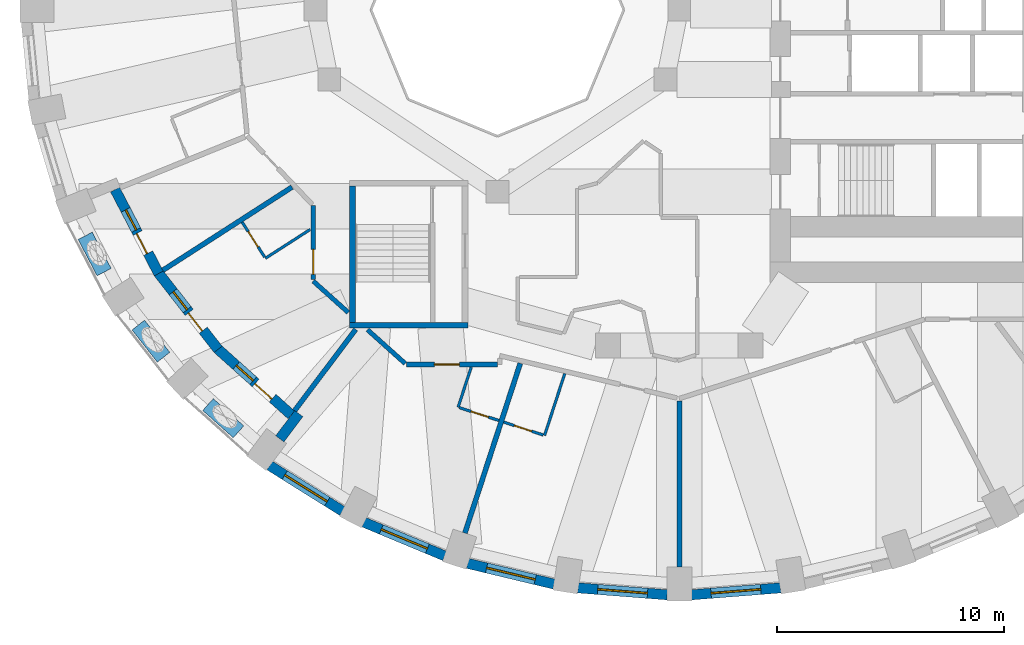
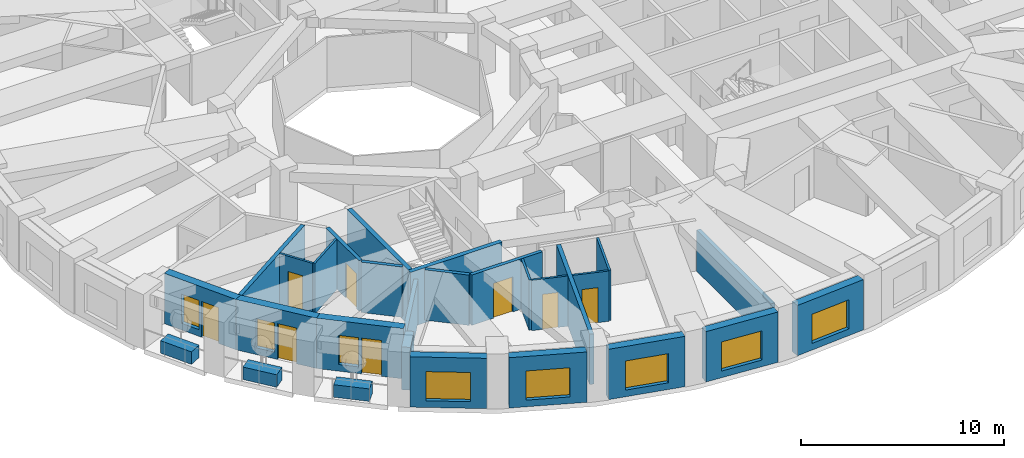
# One storey, part 3 of 13: 28 walls, 8 doors, 8 windows, 16 openings.
"""IFC4 building model written with IfcOpenShell, lengths in metres."""

from ifc_helpers import new_model, si_unit, direction, frame, frame_2d, origin, place, context, subcontext, project, spatial, rectangle, extrude, material, layer, layer_set, constituent, constituent_set, type_object, element, fill, save


model = new_model("IFC4")

# Units and contexts
model_context = context("Model", 3, precision=1e-05, world=origin(), true_north=direction((0.0, 1.0)))
body_context = subcontext(model_context, "Body", "Model", "MODEL_VIEW")
ifc_project = project(units=[si_unit("LENGTHUNIT", "METRE"), si_unit("AREAUNIT", "SQUARE_METRE"), si_unit("VOLUMEUNIT", "CUBIC_METRE"), si_unit("PLANEANGLEUNIT", "RADIAN"), si_unit("MASSUNIT", "GRAM", prefix="KILO")], contexts=[model_context])

# Site, building, storey
site_placement = place(None, origin())
site = spatial("IfcSite", under=ifc_project, at=site_placement, CompositionType="ELEMENT")
building_placement = place(site_placement, origin())
building = spatial("IfcBuilding", under=site, at=building_placement, Name="Taillehof Tower", CompositionType="ELEMENT")
storey_placement = place(building_placement, frame((0.0, 0.0, 54.699951171875)))
storey = spatial("IfcBuildingStorey", under=building, at=storey_placement, Name="L14", CompositionType="ELEMENT", Elevation=54.699951171875)

# Wall, opening, window
ifc_material_1 = material(Name="Brick masonry", Category="masonry")
ifc_layer_1 = layer(ifc_material_1, 0.449951171875)
ifc_layer_set_1 = layer_set([ifc_layer_1], Name="Brick infill wall 450")
wall_type_1 = type_object("IfcWallType", Name="Brick infill wall 450", PredefinedType="SOLIDWALL", material=ifc_layer_set_1)
wall_1_placement = place(storey_placement, frame((-18.02294921875, -20.043701171875, 0.0), z_axis=(0.0, 0.0, 1.0), x_axis=(0.847635480093, -0.530579016629, 0.0)))
wall_1 = element("IfcWall", 1, at=wall_1_placement, inside=storey, type_object=wall_type_1, Name="Brick wall L14 bay 24", PredefinedType="SOLIDWALL", context=body_context, shape_type="SweptSolid", body=[
    extrude(rectangle(XDim=3.782470703125, YDim=0.449951171875, at=frame_2d((1.89111328125, 0.0))), origin(), (0.0, 0.0, 1.0), 3.02001953125),
])
opening_1_placement = place(wall_1_placement, frame((0.791259765625, 0.0, 0.39990234375)))
opening_1 = element("IfcOpeningElement", 2, at=opening_1_placement, cuts=wall_1, Name="Opening W1", PredefinedType="OPENING", context=body_context, shape_type="SweptSolid", body=[
    extrude(rectangle(XDim=2.199951171875, YDim=1.75, at=frame_2d((1.10009765625, 0.875))), frame((0.0, 0.23486328125, 0.0), z_axis=(0.0, -1.0, 0.0), x_axis=(1.0, 0.0, 0.0)), (0.0, 0.0, 1.0), 0.469970703125),
])
ifc_material_2 = material(Name="Aluminium window frame with clear double glazing", Category="aluminium")
window_type_1 = type_object("IfcWindowType", Name="Deep-set window 2200x1750", PartitioningType="SINGLE_PANEL", PredefinedType="WINDOW", material=ifc_material_2)
window_1_placement = place(opening_1_placement, origin())
window_1 = element("IfcWindow", 3, at=window_1_placement, inside=storey, type_object=window_type_1, Name="W1", OverallHeight=1.75, OverallWidth=2.199951171875, PartitioningType="SINGLE_PANEL", PredefinedType="WINDOW", context=body_context, shape_type="SweptSolid", body=[
    extrude(rectangle(XDim=2.199951171875, YDim=1.75, at=frame_2d((1.10009765625, 0.875))), frame((0.0, 0.034912109375, 0.0), z_axis=(0.0, -1.0, 0.0), x_axis=(1.0, 0.0, 0.0)), (0.0, 0.0, 1.0), 0.06005859375),
])
fill(opening_1, window_1)

wall_2_placement = place(storey_placement, frame((-13.875, -22.537353515625, 0.0), z_axis=(0.0, 0.0, 1.0), x_axis=(0.923031964282, -0.384723267966, 0.0)))
wall_2 = element("IfcWall", 4, at=wall_2_placement, inside=storey, type_object=wall_type_1, Name="Brick wall L14 bay 25", PredefinedType="SOLIDWALL", context=body_context, shape_type="SweptSolid", body=[
    extrude(rectangle(XDim=3.8564453125, YDim=0.449951171875, at=frame_2d((1.92822265625, 0.0))), origin(), (0.0, 0.0, 1.0), 3.02001953125),
])
opening_2_placement = place(wall_2_placement, frame((0.828125, 0.0, 0.39990234375)))
opening_2 = element("IfcOpeningElement", 5, at=opening_2_placement, cuts=wall_2, Name="Opening W1", PredefinedType="OPENING", context=body_context, shape_type="SweptSolid", body=[
    extrude(rectangle(XDim=2.199951171875, YDim=1.75, at=frame_2d((1.10009765625, 0.875))), frame((0.0, 0.23486328125, 0.0), z_axis=(0.0, -1.0, 0.0), x_axis=(1.0, 0.0, 0.0)), (0.0, 0.0, 1.0), 0.469970703125),
])
window_2_placement = place(opening_2_placement, origin())
window_2 = element("IfcWindow", 6, at=window_2_placement, inside=storey, type_object=window_type_1, Name="W1", OverallHeight=1.75, OverallWidth=2.199951171875, PartitioningType="SINGLE_PANEL", PredefinedType="WINDOW", context=body_context, shape_type="SweptSolid", body=[
    extrude(rectangle(XDim=2.199951171875, YDim=1.75, at=frame_2d((1.10009765625, 0.875))), frame((0.0, 0.034912109375, 0.0), z_axis=(0.0, -1.0, 0.0), x_axis=(1.0, 0.0, 0.0)), (0.0, 0.0, 1.0), 0.06005859375),
])
fill(opening_2, window_2)

wall_3_placement = place(storey_placement, frame((-9.3076171875, -24.349609375, 0.0), z_axis=(0.0, 0.0, 1.0), x_axis=(0.972496561493, -0.232917233979, 0.0)))
wall_3 = element("IfcWall", 7, at=wall_3_placement, inside=storey, type_object=wall_type_1, Name="Brick wall L14 bay 26", PredefinedType="SOLIDWALL", context=body_context, shape_type="SweptSolid", body=[
    extrude(rectangle(XDim=3.910888671875, YDim=0.449951171875, at=frame_2d((1.95556640625, 0.0))), origin(), (0.0, 0.0, 1.0), 3.02001953125),
])
opening_3_placement = place(wall_3_placement, frame((0.855224609375, 0.0, 0.39990234375)))
opening_3 = element("IfcOpeningElement", 8, at=opening_3_placement, cuts=wall_3, Name="Opening W1", PredefinedType="OPENING", context=body_context, shape_type="SweptSolid", body=[
    extrude(rectangle(XDim=2.199951171875, YDim=1.75, at=frame_2d((1.10009765625, 0.875))), frame((0.0, 0.23486328125, 0.0), z_axis=(0.0, -1.0, 0.0), x_axis=(1.0, 0.0, 0.0)), (0.0, 0.0, 1.0), 0.469970703125),
])
window_3_placement = place(opening_3_placement, origin())
window_3 = element("IfcWindow", 9, at=window_3_placement, inside=storey, type_object=window_type_1, Name="W1", OverallHeight=1.75, OverallWidth=2.199951171875, PartitioningType="SINGLE_PANEL", PredefinedType="WINDOW", context=body_context, shape_type="SweptSolid", body=[
    extrude(rectangle(XDim=2.199951171875, YDim=1.75, at=frame_2d((1.10009765625, 0.875))), frame((0.0, 0.034912109375, 0.0), z_axis=(0.0, -1.0, 0.0), x_axis=(1.0, 0.0, 0.0)), (0.0, 0.0, 1.0), 0.06005859375),
])
fill(opening_3, window_3)

wall_4_placement = place(storey_placement, frame((-4.457275390625, -25.42578125, 0.0), z_axis=(0.0, 0.0, 1.0), x_axis=(0.996955972145, -0.077966592873, 0.0)))
wall_4 = element("IfcWall", 10, at=wall_4_placement, inside=storey, type_object=wall_type_1, Name="Brick wall L14 bay 27", PredefinedType="SOLIDWALL", context=body_context, shape_type="SweptSolid", body=[
    extrude(rectangle(XDim=3.939208984375, YDim=0.449951171875, at=frame_2d((1.9697265625, 0.0))), origin(), (0.0, 0.0, 1.0), 3.02001953125),
])
opening_4_placement = place(wall_4_placement, frame((0.86962890625, 0.0, 0.39990234375)))
opening_4 = element("IfcOpeningElement", 11, at=opening_4_placement, cuts=wall_4, Name="Opening W1", PredefinedType="OPENING", context=body_context, shape_type="SweptSolid", body=[
    extrude(rectangle(XDim=2.199951171875, YDim=1.75, at=frame_2d((1.10009765625, 0.875))), frame((0.0, 0.23486328125, 0.0), z_axis=(0.0, -1.0, 0.0), x_axis=(1.0, 0.0, 0.0)), (0.0, 0.0, 1.0), 0.469970703125),
])
window_4_placement = place(opening_4_placement, origin())
window_4 = element("IfcWindow", 12, at=window_4_placement, inside=storey, type_object=window_type_1, Name="W1", OverallHeight=1.75, OverallWidth=2.199951171875, PartitioningType="SINGLE_PANEL", PredefinedType="WINDOW", context=body_context, shape_type="SweptSolid", body=[
    extrude(rectangle(XDim=2.199951171875, YDim=1.75, at=frame_2d((1.10009765625, 0.875))), frame((0.0, 0.034912109375, 0.0), z_axis=(0.0, -1.0, 0.0), x_axis=(1.0, 0.0, 0.0)), (0.0, 0.0, 1.0), 0.06005859375),
])
fill(opening_4, window_4)

wall_5_placement = place(storey_placement, frame((0.530029296875, -25.73291015625, 0.0), z_axis=(0.0, 0.0, 1.0), x_axis=(0.996955972145, 0.077966592873, 0.0)))
wall_5 = element("IfcWall", 13, at=wall_5_placement, inside=storey, type_object=wall_type_1, Name="Brick wall L14 bay 28", PredefinedType="SOLIDWALL", context=body_context, shape_type="SweptSolid", body=[
    extrude(rectangle(XDim=3.939208984375, YDim=0.449951171875, at=frame_2d((1.9697265625, 0.0))), origin(), (0.0, 0.0, 1.0), 3.02001953125),
])
opening_5_placement = place(wall_5_placement, frame((0.86962890625, 0.0, 0.39990234375)))
opening_5 = element("IfcOpeningElement", 14, at=opening_5_placement, cuts=wall_5, Name="Opening W1", PredefinedType="OPENING", context=body_context, shape_type="SweptSolid", body=[
    extrude(rectangle(XDim=2.199951171875, YDim=1.75, at=frame_2d((1.10009765625, 0.875))), frame((0.0, 0.23486328125, 0.0), z_axis=(0.0, -1.0, 0.0), x_axis=(1.0, 0.0, 0.0)), (0.0, 0.0, 1.0), 0.469970703125),
])
window_5_placement = place(opening_5_placement, origin())
window_5 = element("IfcWindow", 15, at=window_5_placement, inside=storey, type_object=window_type_1, Name="W1", OverallHeight=1.75, OverallWidth=2.199951171875, PartitioningType="SINGLE_PANEL", PredefinedType="WINDOW", context=body_context, shape_type="SweptSolid", body=[
    extrude(rectangle(XDim=2.199951171875, YDim=1.75, at=frame_2d((1.10009765625, 0.875))), frame((0.0, 0.034912109375, 0.0), z_axis=(0.0, -1.0, 0.0), x_axis=(1.0, 0.0, 0.0)), (0.0, 0.0, 1.0), 0.06005859375),
])
fill(opening_5, window_5)

# Wall
wall_6_placement = place(storey_placement, frame((-17.572021484375, -18.87060546875, 0.0), z_axis=(0.0, 0.0, 1.0), x_axis=(0.601262851241, 0.799051302306, 0.0)))
element("IfcWall", 16, at=wall_6_placement, inside=storey, type_object=wall_type_1, Name="Brick reveal L14 pocket 6", PredefinedType="SOLIDWALL", context=body_context, shape_type="SweptSolid", body=[
    extrude(rectangle(XDim=1.39111328125, YDim=0.449951171875, at=frame_2d((0.695556640625, 0.0))), origin(), (0.0, 0.0, 1.0), 2.570068359375),
])

# Wall, openings, door, window
wall_7_placement = place(storey_placement, frame((-24.81787109375, -7.90478515625, 0.0), z_axis=(0.0, 0.0, 1.0), x_axis=(0.461517123562, -0.887131300687, 0.0)))
wall_7 = element("IfcWall", 17, at=wall_7_placement, inside=storey, type_object=wall_type_1, Name="Brick wall L14 pocket bay 21", PredefinedType="SOLIDWALL", context=body_context, shape_type="SweptSolid", body=[
    extrude(rectangle(XDim=4.16162109375, YDim=0.449951171875, at=frame_2d((2.080810546875, 0.0))), origin(), (0.0, 0.0, 1.0), 3.02001953125),
])
opening_6_placement = place(wall_7_placement, frame((1.005859375, 0.0, 0.39990234375)))
opening_6 = element("IfcOpeningElement", 18, at=opening_6_placement, cuts=wall_7, Name="Opening W5", PredefinedType="OPENING", context=body_context, shape_type="SweptSolid", body=[
    extrude(rectangle(XDim=1.0, YDim=1.75, at=frame_2d((0.5, 0.875))), frame((0.0, 0.23486328125, 0.0), z_axis=(0.0, -1.0, 0.0), x_axis=(1.0, 0.0, 0.0)), (0.0, 0.0, 1.0), 0.469970703125),
])
opening_7_placement = place(wall_7_placement, frame((2.15576171875, 0.0, 0.0)))
opening_7 = element("IfcOpeningElement", 19, at=opening_7_placement, cuts=wall_7, Name="Opening D1494", PredefinedType="OPENING", context=body_context, shape_type="SweptSolid", body=[
    extrude(rectangle(XDim=1.0, YDim=2.14990234375, at=frame_2d((0.5, 1.074951171875))), frame((0.0, 0.23486328125, 0.0), z_axis=(0.0, -1.0, 0.0), x_axis=(1.0, 0.0, 0.0)), (0.0, 0.0, 1.0), 0.469970703125),
])
ifc_material_3 = material(Name="Aluminium door frame with clear double glazing", Category="aluminium")
door_type_1 = type_object("IfcDoorType", Name="Balcony door 1000x2150", OperationType="SINGLE_SWING_RIGHT", PredefinedType="DOOR", material=ifc_material_3)
door_1_placement = place(opening_7_placement, frame((1.0, 0.0, 0.0), z_axis=(0.0, 0.0, 1.0), x_axis=(-1.0, 0.0, 0.0)))
door_1 = element("IfcDoor", 20, at=door_1_placement, inside=storey, type_object=door_type_1, Name="Balcony door L14 bay 21", OperationType="SINGLE_SWING_RIGHT", OverallHeight=2.14990234375, OverallWidth=1.0, PredefinedType="DOOR", context=body_context, shape_type="SweptSolid", body=[
    extrude(rectangle(XDim=1.0, YDim=2.14990234375, at=frame_2d((0.5, 1.074951171875))), frame((0.0, 0.0751953125, 0.0), z_axis=(0.0, -1.0, 0.0), x_axis=(1.0, 0.0, 0.0)), (0.0, 0.0, 1.0), 0.050048828125),
])
fill(opening_7, door_1)
ifc_material_4 = material(Name="Aluminium window frame with clear double glazing", Category="aluminium")
window_type_2 = type_object("IfcWindowType", Name="Fixed window 1000x1750", PartitioningType="SINGLE_PANEL", PredefinedType="WINDOW", material=ifc_material_4)
window_6_placement = place(opening_6_placement, origin())
window_6 = element("IfcWindow", 21, at=window_6_placement, inside=storey, type_object=window_type_2, Name="W5", OverallHeight=1.75, OverallWidth=1.0, PartitioningType="SINGLE_PANEL", PredefinedType="WINDOW", context=body_context, shape_type="SweptSolid", body=[
    extrude(rectangle(XDim=1.0, YDim=1.75, at=frame_2d((0.5, 0.875))), frame((0.0, 0.034912109375, 0.0), z_axis=(0.0, -1.0, 0.0), x_axis=(1.0, 0.0, 0.0)), (0.0, 0.0, 1.0), 0.06005859375),
])
fill(opening_6, window_6)

wall_8_placement = place(storey_placement, frame((-22.919677734375, -11.56201171875, 0.0), z_axis=(0.0, 0.0, 1.0), x_axis=(0.615586464456, -0.788069352772, 0.0)))
wall_8 = element("IfcWall", 22, at=wall_8_placement, inside=storey, type_object=wall_type_1, Name="Brick wall L14 pocket bay 22", PredefinedType="SOLIDWALL", context=body_context, shape_type="SweptSolid", body=[
    extrude(rectangle(XDim=4.27880859375, YDim=0.449951171875, at=frame_2d((2.139404296875, 0.0))), origin(), (0.0, 0.0, 1.0), 3.02001953125),
])
opening_8_placement = place(wall_8_placement, frame((1.064453125, 0.0, 0.39990234375)))
opening_8 = element("IfcOpeningElement", 23, at=opening_8_placement, cuts=wall_8, Name="Opening W5", PredefinedType="OPENING", context=body_context, shape_type="SweptSolid", body=[
    extrude(rectangle(XDim=1.0, YDim=1.75, at=frame_2d((0.5, 0.875))), frame((0.0, 0.23486328125, 0.0), z_axis=(0.0, -1.0, 0.0), x_axis=(1.0, 0.0, 0.0)), (0.0, 0.0, 1.0), 0.469970703125),
])
opening_9_placement = place(wall_8_placement, frame((2.21435546875, 0.0, 0.0)))
opening_9 = element("IfcOpeningElement", 24, at=opening_9_placement, cuts=wall_8, Name="Opening D1495", PredefinedType="OPENING", context=body_context, shape_type="SweptSolid", body=[
    extrude(rectangle(XDim=1.0, YDim=2.14990234375, at=frame_2d((0.5, 1.074951171875))), frame((0.0, 0.23486328125, 0.0), z_axis=(0.0, -1.0, 0.0), x_axis=(1.0, 0.0, 0.0)), (0.0, 0.0, 1.0), 0.469970703125),
])
door_2_placement = place(opening_9_placement, frame((1.0, 0.0, 0.0), z_axis=(0.0, 0.0, 1.0), x_axis=(-1.0, 0.0, 0.0)))
door_2 = element("IfcDoor", 25, at=door_2_placement, inside=storey, type_object=door_type_1, Name="Balcony door L14 bay 22", OperationType="SINGLE_SWING_LEFT", OverallHeight=2.14990234375, OverallWidth=1.0, PredefinedType="DOOR", context=body_context, shape_type="SweptSolid", body=[
    extrude(rectangle(XDim=1.0, YDim=2.14990234375, at=frame_2d((0.5, 1.074951171875))), frame((0.0, 0.0751953125, 0.0), z_axis=(0.0, -1.0, 0.0), x_axis=(1.0, 0.0, 0.0)), (0.0, 0.0, 1.0), 0.050048828125),
])
fill(opening_9, door_2)
window_7_placement = place(opening_8_placement, origin())
window_7 = element("IfcWindow", 26, at=window_7_placement, inside=storey, type_object=window_type_2, Name="W5", OverallHeight=1.75, OverallWidth=1.0, PartitioningType="SINGLE_PANEL", PredefinedType="WINDOW", context=body_context, shape_type="SweptSolid", body=[
    extrude(rectangle(XDim=1.0, YDim=1.75, at=frame_2d((0.5, 0.875))), frame((0.0, 0.034912109375, 0.0), z_axis=(0.0, -1.0, 0.0), x_axis=(1.0, 0.0, 0.0)), (0.0, 0.0, 1.0), 0.06005859375),
])
fill(opening_8, window_7)

wall_9_placement = place(storey_placement, frame((-20.312744140625, -14.905029296875, 0.0), z_axis=(0.0, 0.0, 1.0), x_axis=(0.744616407434, -0.667492626012, 0.0)))
wall_9 = element("IfcWall", 27, at=wall_9_placement, inside=storey, type_object=wall_type_1, Name="Brick wall L14 pocket bay 23", PredefinedType="SOLIDWALL", context=body_context, shape_type="SweptSolid", body=[
    extrude(rectangle(XDim=4.365234375, YDim=0.449951171875, at=frame_2d((2.1826171875, 0.0))), origin(), (0.0, 0.0, 1.0), 3.02001953125),
])
opening_10_placement = place(wall_9_placement, frame((1.107666015625, 0.0, 0.39990234375)))
opening_10 = element("IfcOpeningElement", 28, at=opening_10_placement, cuts=wall_9, Name="Opening W5", PredefinedType="OPENING", context=body_context, shape_type="SweptSolid", body=[
    extrude(rectangle(XDim=1.0, YDim=1.75, at=frame_2d((0.5, 0.875))), frame((0.0, 0.23486328125, 0.0), z_axis=(0.0, -1.0, 0.0), x_axis=(1.0, 0.0, 0.0)), (0.0, 0.0, 1.0), 0.469970703125),
])
opening_11_placement = place(wall_9_placement, frame((2.2578125, 0.0, 0.0)))
opening_11 = element("IfcOpeningElement", 29, at=opening_11_placement, cuts=wall_9, Name="Opening D1496", PredefinedType="OPENING", context=body_context, shape_type="SweptSolid", body=[
    extrude(rectangle(XDim=1.0, YDim=2.14990234375, at=frame_2d((0.5, 1.074951171875))), frame((0.0, 0.23486328125, 0.0), z_axis=(0.0, -1.0, 0.0), x_axis=(1.0, 0.0, 0.0)), (0.0, 0.0, 1.0), 0.469970703125),
])
door_3_placement = place(opening_11_placement, frame((1.0, 0.0, 0.0), z_axis=(0.0, 0.0, 1.0), x_axis=(-1.0, 0.0, 0.0)))
door_3 = element("IfcDoor", 30, at=door_3_placement, inside=storey, type_object=door_type_1, Name="Balcony door L14 bay 23", OperationType="SINGLE_SWING_LEFT", OverallHeight=2.14990234375, OverallWidth=1.0, PredefinedType="DOOR", context=body_context, shape_type="SweptSolid", body=[
    extrude(rectangle(XDim=1.0, YDim=2.14990234375, at=frame_2d((0.5, 1.074951171875))), frame((0.0, 0.0751953125, 0.0), z_axis=(0.0, -1.0, 0.0), x_axis=(1.0, 0.0, 0.0)), (0.0, 0.0, 1.0), 0.050048828125),
])
fill(opening_11, door_3)
window_8_placement = place(opening_10_placement, origin())
window_8 = element("IfcWindow", 31, at=window_8_placement, inside=storey, type_object=window_type_2, Name="W5", OverallHeight=1.75, OverallWidth=1.0, PartitioningType="SINGLE_PANEL", PredefinedType="WINDOW", context=body_context, shape_type="SweptSolid", body=[
    extrude(rectangle(XDim=1.0, YDim=1.75, at=frame_2d((0.5, 0.875))), frame((0.0, 0.034912109375, 0.0), z_axis=(0.0, -1.0, 0.0), x_axis=(1.0, 0.0, 0.0)), (0.0, 0.0, 1.0), 0.06005859375),
])
fill(opening_10, window_8)

# Wall
ifc_material_5 = material(Name="Gypsum board on steel studs, two layers each side", Category="steel")
ifc_layer_2 = layer(ifc_material_5, 0.199951171875)
ifc_layer_set_2 = layer_set([ifc_layer_2], Name="Compartment wall corridor 200")
wall_type_2 = type_object("IfcWallType", Name="Compartment wall corridor 200", PredefinedType="PARTITIONING", material=ifc_layer_set_2)
wall_10_placement = place(storey_placement, frame((-14.559326171875, -13.314208984375, 0.0), z_axis=(0.0, 0.0, 1.0), x_axis=(-0.744636171002, 0.667470578254, 0.0)))
element("IfcWall", 32, at=wall_10_placement, inside=storey, type_object=wall_type_2, Name="Compartment wall", PredefinedType="PARTITIONING", context=body_context, shape_type="SweptSolid", body=[
    extrude(rectangle(XDim=2.069091796875, YDim=0.199951171875, at=frame_2d((1.03466796875, 0.0))), origin(), (0.0, 0.0, 1.0), 3.02001953125),
])

# Wall, opening, door
wall_11_placement = place(storey_placement, frame((-16.10009765625, -11.85302734375, 0.0), z_axis=(0.0, 0.0, 1.0), x_axis=(0.0, 1.0, 0.0)))
wall_11 = element("IfcWall", 33, at=wall_11_placement, inside=storey, type_object=wall_type_2, Name="Compartment wall", PredefinedType="PARTITIONING", context=body_context, shape_type="SweptSolid", body=[
    extrude(rectangle(XDim=3.244140625, YDim=0.199951171875, at=frame_2d((1.6220703125, 0.0))), origin(), (0.0, 0.0, 1.0), 3.02001953125),
])
opening_12_placement = place(wall_11_placement, frame((0.219970703125, 0.0, 0.0)))
opening_12 = element("IfcOpeningElement", 34, at=opening_12_placement, cuts=wall_11, Name="Opening D1455", PredefinedType="OPENING", context=body_context, shape_type="SweptSolid", body=[
    extrude(rectangle(XDim=1.10009765625, YDim=2.10009765625, at=frame_2d((0.550048828125, 1.050048828125))), frame((0.0, 0.10986328125, 0.0), z_axis=(0.0, -1.0, 0.0), x_axis=(1.0, 0.0, 0.0)), (0.0, 0.0, 1.0), 0.219970703125),
])
ifc_material_6 = material(Name="Timber door leaf in steel frame", Category="steel")
door_type_2 = type_object("IfcDoorType", Name="Suite entrance door EI 30 1100 x 2100", OperationType="SINGLE_SWING_LEFT", PredefinedType="DOOR", material=ifc_material_6)
door_4_placement = place(opening_12_placement, origin())
door_4 = element("IfcDoor", 35, at=door_4_placement, inside=storey, type_object=door_type_2, Name="D1455", OperationType="SINGLE_SWING_RIGHT", OverallHeight=2.10009765625, OverallWidth=1.10009765625, PredefinedType="DOOR", context=body_context, shape_type="SweptSolid", body=[
    extrude(rectangle(XDim=1.10009765625, YDim=2.10009765625, at=frame_2d((0.550048828125, 1.050048828125))), frame((0.0, 0.02490234375, 0.0), z_axis=(0.0, -1.0, 0.0), x_axis=(1.0, 0.0, 0.0)), (0.0, 0.0, 1.0), 0.050048828125),
])
fill(opening_12, door_4)

wall_12_placement = place(storey_placement, frame((-8.0, -15.60009765625, 0.0), z_axis=(0.0, 0.0, 1.0), x_axis=(-1.0, 0.0, 0.0)))
wall_12 = element("IfcWall", 36, at=wall_12_placement, inside=storey, type_object=wall_type_2, Name="Compartment wall", PredefinedType="PARTITIONING", context=body_context, shape_type="SweptSolid", body=[
    extrude(rectangle(XDim=4.00927734375, YDim=0.199951171875, at=frame_2d((2.004638671875, 0.0))), origin(), (0.0, 0.0, 1.0), 3.02001953125),
])
opening_13_placement = place(wall_12_placement, frame((1.676025390625, 0.0, 0.0)))
opening_13 = element("IfcOpeningElement", 37, at=opening_13_placement, cuts=wall_12, Name="Opening D1457", PredefinedType="OPENING", context=body_context, shape_type="SweptSolid", body=[
    extrude(rectangle(XDim=1.10009765625, YDim=2.10009765625, at=frame_2d((0.550048828125, 1.050048828125))), frame((0.0, 0.10986328125, 0.0), z_axis=(0.0, -1.0, 0.0), x_axis=(1.0, 0.0, 0.0)), (0.0, 0.0, 1.0), 0.219970703125),
])
door_5_placement = place(opening_13_placement, origin())
door_5 = element("IfcDoor", 38, at=door_5_placement, inside=storey, type_object=door_type_2, Name="D1457", OperationType="SINGLE_SWING_LEFT", OverallHeight=2.10009765625, OverallWidth=1.10009765625, PredefinedType="DOOR", context=body_context, shape_type="SweptSolid", body=[
    extrude(rectangle(XDim=1.10009765625, YDim=2.10009765625, at=frame_2d((0.550048828125, 1.050048828125))), frame((0.0, 0.02490234375, 0.0), z_axis=(0.0, -1.0, 0.0), x_axis=(1.0, 0.0, 0.0)), (0.0, 0.0, 1.0), 0.050048828125),
])
fill(opening_13, door_5)

# Walls
wall_13_placement = place(storey_placement, frame((-12.053955078125, -15.559814453125, 0.0), z_axis=(0.0, 0.0, 1.0), x_axis=(-0.744625700487, 0.66748225907, 0.0)))
element("IfcWall", 39, at=wall_13_placement, inside=storey, type_object=wall_type_2, Name="Compartment wall", PredefinedType="PARTITIONING", context=body_context, shape_type="SweptSolid", body=[
    extrude(rectangle(XDim=2.231201171875, YDim=0.199951171875, at=frame_2d((1.11572265625, 0.0))), origin(), (0.0, 0.0, 1.0), 3.02001953125),
])
ifc_material_7 = material(Name="Gypsum board on double steel studs with mineral wool", Category="steel")
ifc_layer_3 = layer(ifc_material_7, 0.219970703125)
ifc_layer_set_3 = layer_set([ifc_layer_3], Name="Compartment wall guest room 220")
wall_type_3 = type_object("IfcWallType", Name="Compartment wall guest room 220", PredefinedType="PARTITIONING", material=ifc_layer_set_3)
wall_14_placement = place(storey_placement, frame((-22.717041015625, -11.455810546875, 0.0), z_axis=(0.0, 0.0, 1.0), x_axis=(0.840775666807, 0.541383669965, 0.0)))
element("IfcWall", 40, at=wall_14_placement, inside=storey, type_object=wall_type_3, Name="Compartment wall", PredefinedType="PARTITIONING", context=body_context, shape_type="SweptSolid", body=[
    extrude(rectangle(XDim=6.758544921875, YDim=0.219970703125, at=frame_2d((3.37939453125, 0.0))), origin(), (0.0, 0.0, 1.0), 3.02001953125),
])
wall_15_placement = place(storey_placement, frame((-16.926513671875, -17.638427734375, 0.0), z_axis=(0.0, 0.0, 1.0), x_axis=(0.601158965663, 0.799129462605, 0.0)))
element("IfcWall", 41, at=wall_15_placement, inside=storey, type_object=wall_type_3, Name="Compartment wall", PredefinedType="PARTITIONING", context=body_context, shape_type="SweptSolid", body=[
    extrude(rectangle(XDim=4.480224609375, YDim=0.219970703125, at=frame_2d((2.240234375, 0.0))), origin(), (0.0, 0.0, 1.0), 2.570068359375),
])
wall_16_placement = place(storey_placement, frame((-9.429443359375, -23.01416015625, 0.0), z_axis=(0.0, 0.0, 1.0), x_axis=(0.310249775859, 0.950655077607, 0.0)))
element("IfcWall", 42, at=wall_16_placement, inside=storey, type_object=wall_type_3, Name="Compartment wall", PredefinedType="PARTITIONING", context=body_context, shape_type="SweptSolid", body=[
    extrude(rectangle(XDim=7.849609375, YDim=0.219970703125, at=frame_2d((3.9248046875, 0.0))), origin(), (0.0, 0.0, 1.0), 3.02001953125),
])
wall_17_placement = place(storey_placement, frame((0.0, -24.5, 0.0), z_axis=(0.0, 0.0, 1.0), x_axis=(0.0, 1.0, 0.0)))
element("IfcWall", 43, at=wall_17_placement, inside=storey, type_object=wall_type_3, Name="Compartment wall", PredefinedType="PARTITIONING", context=body_context, shape_type="SweptSolid", body=[
    extrude(rectangle(XDim=7.2998046875, YDim=0.219970703125, at=frame_2d((3.64990234375, 0.0))), origin(), (0.0, 0.0, 1.0), 2.469970703125),
])
ifc_material_8 = material(Name="Gypsum board on steel studs, moisture resistant", Category="steel")
ifc_layer_4 = layer(ifc_material_8, 0.1201171875)
ifc_layer_set_4 = layer_set([ifc_layer_4], Name="En-suite wall 120")
wall_type_4 = type_object("IfcWallType", Name="En-suite wall 120", PredefinedType="PARTITIONING", material=ifc_layer_set_4)
wall_18_placement = place(storey_placement, frame((-16.23388671875, -9.65966796875, 0.0), z_axis=(0.0, 0.0, 1.0), x_axis=(-0.840731269954, -0.541452612628, 0.0)))
element("IfcWall", 44, at=wall_18_placement, inside=storey, type_object=wall_type_4, Name="En-suite wall", PredefinedType="PARTITIONING", context=body_context, shape_type="SweptSolid", body=[
    extrude(rectangle(XDim=2.3427734375, YDim=0.1201171875, at=frame_2d((1.17138671875, 0.0))), origin(), (0.0, 0.0, 1.0), 3.02001953125),
])
wall_19_placement = place(storey_placement, frame((-9.152587890625, -15.71923828125, 0.0), z_axis=(0.0, 0.0, 1.0), x_axis=(-0.310326382186, -0.950630073435, 0.0)))
element("IfcWall", 45, at=wall_19_placement, inside=storey, type_object=wall_type_4, Name="En-suite wall", PredefinedType="PARTITIONING", context=body_context, shape_type="SweptSolid", body=[
    extrude(rectangle(XDim=1.85107421875, YDim=0.1201171875, at=frame_2d((0.925537109375, 0.0))), origin(), (0.0, 0.0, 1.0), 3.02001953125),
])
wall_20_placement = place(storey_placement, frame((-5.03662109375, -15.999267578125, 0.0), z_axis=(0.0, 0.0, 1.0), x_axis=(-0.310181518973, -0.950677350781, 0.0)))
element("IfcWall", 46, at=wall_20_placement, inside=storey, type_object=wall_type_4, Name="En-suite wall", PredefinedType="PARTITIONING", context=body_context, shape_type="SweptSolid", body=[
    extrude(rectangle(XDim=2.86181640625, YDim=0.1201171875, at=frame_2d((1.430908203125, 0.0))), origin(), (0.0, 0.0, 1.0), 3.02001953125),
])

# Wall, opening, door
wall_21_placement = place(storey_placement, frame((-18.23583984375, -10.877685546875, 0.0), z_axis=(0.0, 0.0, 1.0), x_axis=(-0.54164058606, 0.840610180484, 0.0)))
wall_21 = element("IfcWall", 47, at=wall_21_placement, inside=storey, type_object=wall_type_4, Name="En-suite wall", PredefinedType="PARTITIONING", context=body_context, shape_type="SweptSolid", body=[
    extrude(rectangle(XDim=1.830078125, YDim=0.1201171875, at=frame_2d((0.9150390625, 0.0))), origin(), (0.0, 0.0, 1.0), 3.02001953125),
])
opening_14_placement = place(wall_21_placement, frame((0.5400390625, 0.0, 0.0)))
opening_14 = element("IfcOpeningElement", 48, at=opening_14_placement, cuts=wall_21, Name="Opening D1456", PredefinedType="OPENING", context=body_context, shape_type="SweptSolid", body=[
    extrude(rectangle(XDim=0.800048828125, YDim=2.10009765625, at=frame_2d((0.39990234375, 1.050048828125))), frame((0.0, 0.070068359375, 0.0), z_axis=(0.0, -1.0, 0.0), x_axis=(1.0, 0.0, 0.0)), (0.0, 0.0, 1.0), 0.14013671875),
])
ifc_material_9 = material(Name="Timber door leaf in steel frame", Category="steel")
door_type_3 = type_object("IfcDoorType", Name="En-suite door 800 x 2100", OperationType="SINGLE_SWING_LEFT", PredefinedType="DOOR", material=ifc_material_9)
door_6_placement = place(opening_14_placement, origin())
door_6 = element("IfcDoor", 49, at=door_6_placement, inside=storey, type_object=door_type_3, Name="D1456", OperationType="SINGLE_SWING_RIGHT", OverallHeight=2.10009765625, OverallWidth=0.800048828125, PredefinedType="DOOR", context=body_context, shape_type="SweptSolid", body=[
    extrude(rectangle(XDim=0.800048828125, YDim=2.10009765625, at=frame_2d((0.39990234375, 1.050048828125))), frame((0.0, 0.02490234375, 0.0), z_axis=(0.0, -1.0, 0.0), x_axis=(1.0, 0.0, 0.0)), (0.0, 0.0, 1.0), 0.050048828125),
])
fill(opening_14, door_6)

wall_22_placement = place(storey_placement, frame((-9.669921875, -17.49755859375, 0.0), z_axis=(0.0, 0.0, 1.0), x_axis=(0.950678536911, -0.31017788357, 0.0)))
wall_22 = element("IfcWall", 50, at=wall_22_placement, inside=storey, type_object=wall_type_4, Name="En-suite wall", PredefinedType="PARTITIONING", context=body_context, shape_type="SweptSolid", body=[
    extrude(rectangle(XDim=1.830078125, YDim=0.1201171875, at=frame_2d((0.9150390625, 0.0))), origin(), (0.0, 0.0, 1.0), 3.02001953125),
])
opening_15_placement = place(wall_22_placement, frame((0.5400390625, 0.0, 0.0)))
opening_15 = element("IfcOpeningElement", 51, at=opening_15_placement, cuts=wall_22, Name="Opening D1458", PredefinedType="OPENING", context=body_context, shape_type="SweptSolid", body=[
    extrude(rectangle(XDim=0.800048828125, YDim=2.10009765625, at=frame_2d((0.39990234375, 1.050048828125))), frame((0.0, 0.070068359375, 0.0), z_axis=(0.0, -1.0, 0.0), x_axis=(1.0, 0.0, 0.0)), (0.0, 0.0, 1.0), 0.14013671875),
])
door_7_placement = place(opening_15_placement, origin())
door_7 = element("IfcDoor", 52, at=door_7_placement, inside=storey, type_object=door_type_3, Name="D1458", OperationType="SINGLE_SWING_LEFT", OverallHeight=2.10009765625, OverallWidth=0.800048828125, PredefinedType="DOOR", context=body_context, shape_type="SweptSolid", body=[
    extrude(rectangle(XDim=0.800048828125, YDim=2.10009765625, at=frame_2d((0.39990234375, 1.050048828125))), frame((0.0, 0.02490234375, 0.0), z_axis=(0.0, -1.0, 0.0), x_axis=(1.0, 0.0, 0.0)), (0.0, 0.0, 1.0), 0.050048828125),
])
fill(opening_15, door_7)

wall_23_placement = place(storey_placement, frame((-5.9814453125, -18.701416015625, 0.0), z_axis=(0.0, 0.0, 1.0), x_axis=(-0.950639191072, 0.310298450524, 0.0)))
wall_23 = element("IfcWall", 53, at=wall_23_placement, inside=storey, type_object=wall_type_4, Name="En-suite wall", PredefinedType="PARTITIONING", context=body_context, shape_type="SweptSolid", body=[
    extrude(rectangle(XDim=1.830078125, YDim=0.1201171875, at=frame_2d((0.9150390625, 0.0))), origin(), (0.0, 0.0, 1.0), 3.02001953125),
])
opening_16_placement = place(wall_23_placement, frame((0.5400390625, 0.0, 0.0)))
opening_16 = element("IfcOpeningElement", 54, at=opening_16_placement, cuts=wall_23, Name="Opening D1460", PredefinedType="OPENING", context=body_context, shape_type="SweptSolid", body=[
    extrude(rectangle(XDim=0.800048828125, YDim=2.10009765625, at=frame_2d((0.39990234375, 1.050048828125))), frame((0.0, 0.070068359375, 0.0), z_axis=(0.0, -1.0, 0.0), x_axis=(1.0, 0.0, 0.0)), (0.0, 0.0, 1.0), 0.14013671875),
])
door_8_placement = place(opening_16_placement, origin())
door_8 = element("IfcDoor", 55, at=door_8_placement, inside=storey, type_object=door_type_3, Name="D1460", OperationType="SINGLE_SWING_LEFT", OverallHeight=2.10009765625, OverallWidth=0.800048828125, PredefinedType="DOOR", context=body_context, shape_type="SweptSolid", body=[
    extrude(rectangle(XDim=0.800048828125, YDim=2.10009765625, at=frame_2d((0.39990234375, 1.050048828125))), frame((0.0, 0.02490234375, 0.0), z_axis=(0.0, -1.0, 0.0), x_axis=(1.0, 0.0, 0.0)), (0.0, 0.0, 1.0), 0.050048828125),
])
fill(opening_16, door_8)

# Walls
ifc_material_10 = material(Name="Concrete C30/37 precast", Category="concrete")
ifc_constituent_1 = constituent(ifc_material_10, Name="Structure", Category="concrete")
ifc_material_11 = material(Name="Insulated lining")
ifc_constituent_2 = constituent(ifc_material_11, Name="Lining")
ifc_constituent_set = constituent_set(constituents=[ifc_constituent_1, ifc_constituent_2], Name="Planter trough 700x750")
wall_type_5 = type_object("IfcWallType", Name="Planter trough 700x750", PredefinedType="USERDEFINED", material=ifc_constituent_set)
wall_24_placement = place(storey_placement, frame((-26.132568359375, -9.94091796875, 0.0), z_axis=(0.0, 0.0, 1.0), x_axis=(0.462501112253, -0.886618701114, 0.0)))
element("IfcWall", 56, at=wall_24_placement, inside=storey, type_object=wall_type_5, Name="Planter L14 bay 21", ObjectType="PLANTER", PredefinedType="USERDEFINED", context=body_context, shape_type="SweptSolid", body=[
    extrude(rectangle(XDim=1.800048828125, YDim=0.699951171875, at=frame_2d((0.89990234375, 0.0))), origin(), (0.0, 0.0, 1.0), 0.75),
])
wall_25_placement = place(storey_placement, frame((-23.79541015625, -13.8642578125, 0.0), z_axis=(0.0, 0.0, 1.0), x_axis=(0.616622746332, -0.787258781282, 0.0)))
element("IfcWall", 57, at=wall_25_placement, inside=storey, type_object=wall_type_5, Name="Planter L14 bay 22", ObjectType="PLANTER", PredefinedType="USERDEFINED", context=body_context, shape_type="SweptSolid", body=[
    extrude(rectangle(XDim=1.7998046875, YDim=0.699951171875, at=frame_2d((0.89990234375, 0.0))), origin(), (0.0, 0.0, 1.0), 0.75),
])
wall_26_placement = place(storey_placement, frame((-20.72998046875, -17.362548828125, 0.0), z_axis=(0.0, 0.0, 1.0), x_axis=(0.745535653445, -0.666465745139, 0.0)))
element("IfcWall", 58, at=wall_26_placement, inside=storey, type_object=wall_type_5, Name="Planter L14 bay 23", ObjectType="PLANTER", PredefinedType="USERDEFINED", context=body_context, shape_type="SweptSolid", body=[
    extrude(rectangle(XDim=1.800048828125, YDim=0.699951171875, at=frame_2d((0.89990234375, 0.0))), origin(), (0.0, 0.0, 1.0), 0.75),
])
ifc_material_12 = material(Name="Concrete C50/60", Category="concrete")
ifc_layer_5 = layer(ifc_material_12, 0.25)
ifc_layer_set_5 = layer_set([ifc_layer_5], Name="Stair wall C50/60 250")
wall_type_6 = type_object("IfcWallType", Name="Stair wall C50/60 250", PredefinedType="SHEAR", material=ifc_layer_set_5)
wall_27_placement = place(storey_placement, frame((-14.375, -13.75, -0.280029296875), z_axis=(0.0, 0.0, 1.0), x_axis=(0.0, 1.0, 0.0)))
element("IfcWall", 59, at=wall_27_placement, inside=storey, type_object=wall_type_6, Name="Stair wall SC", PredefinedType="SHEAR", context=body_context, shape_type="SweptSolid", body=[
    extrude(rectangle(XDim=6.0, YDim=0.25, at=frame_2d((3.0, 0.0))), origin(), (0.0, 0.0, 1.0), 3.300048828125),
])
wall_28_placement = place(storey_placement, frame((-14.5, -13.875, -0.280029296875), z_axis=(0.0, 0.0, 1.0), x_axis=(1.0, 0.0, 0.0)))
element("IfcWall", 60, at=wall_28_placement, inside=storey, type_object=wall_type_6, Name="Stair wall SC", PredefinedType="SHEAR", context=body_context, shape_type="SweptSolid", body=[
    extrude(rectangle(XDim=5.199951171875, YDim=0.25, at=frame_2d((2.60009765625, 0.0))), origin(), (0.0, 0.0, 1.0), 3.300048828125),
])

save(model, "model.ifc")
